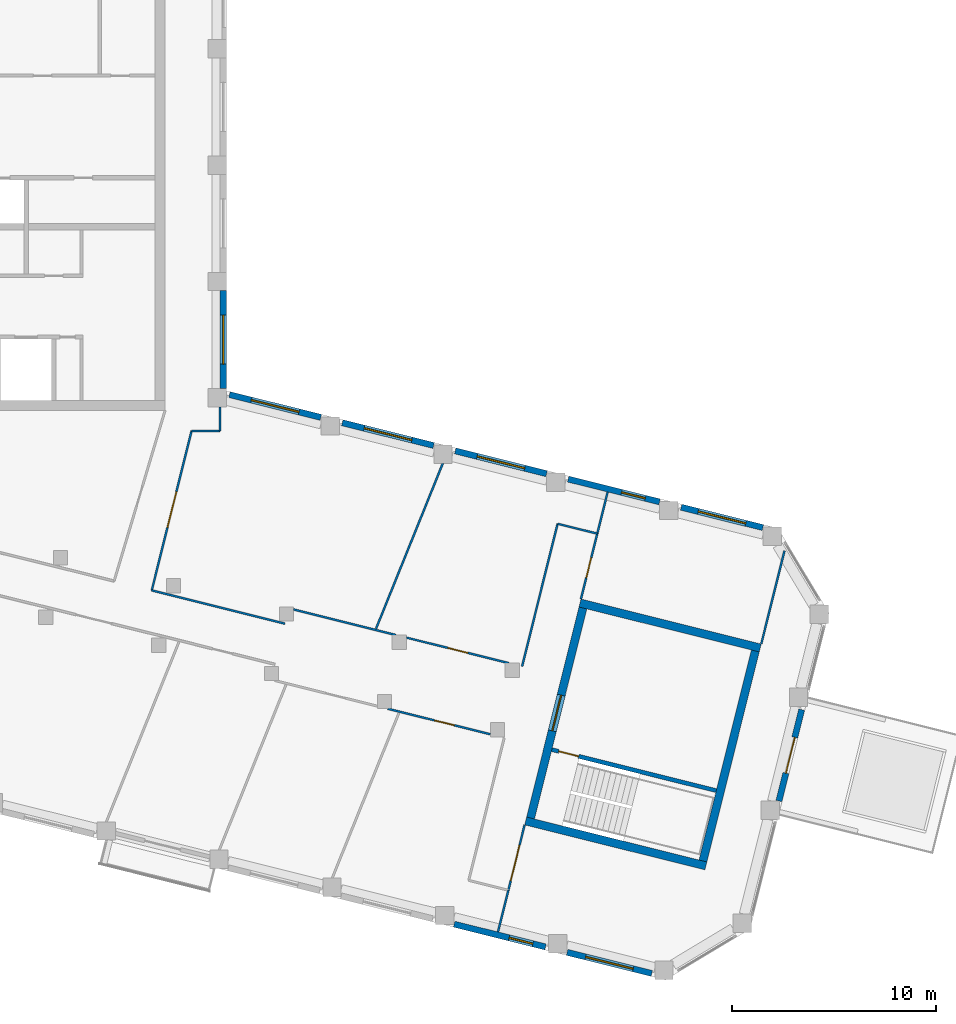
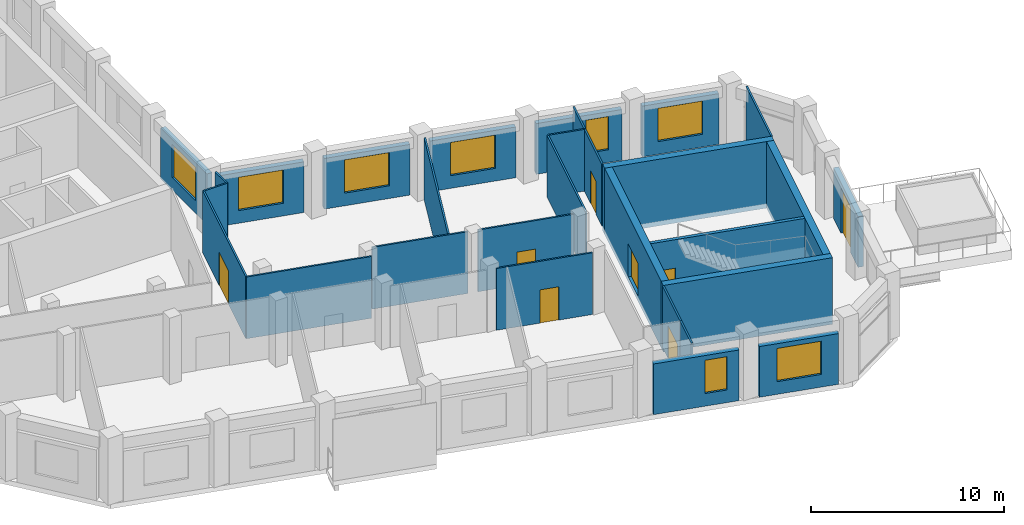
# One storey, part 8 of 13: 29 walls, 8 doors, 8 windows, 16 openings.
"""IFC4 building model written with IfcOpenShell, lengths in metres."""

from ifc_helpers import new_model, si_unit, direction, frame, frame_2d, origin, place, context, subcontext, project, spatial, rectangle, extrude, material, layer, layer_set, type_object, element, fill, save


model = new_model("IFC4")

# Units and contexts
model_context = context("Model", 3, precision=1e-05, world=origin(), true_north=direction((0.0, 1.0)))
body_context = subcontext(model_context, "Body", "Model", "MODEL_VIEW")
ifc_project = project(units=[si_unit("LENGTHUNIT", "METRE"), si_unit("AREAUNIT", "SQUARE_METRE"), si_unit("VOLUMEUNIT", "CUBIC_METRE"), si_unit("PLANEANGLEUNIT", "RADIAN"), si_unit("MASSUNIT", "GRAM", prefix="KILO")], contexts=[model_context])

# Site, building, storey
site_placement = place(None, origin())
site = spatial("IfcSite", under=ifc_project, at=site_placement, CompositionType="ELEMENT")
building_placement = place(site_placement, origin())
building = spatial("IfcBuilding", under=site, at=building_placement, Name="Meshkara Civic Tower", CompositionType="ELEMENT")
storey_placement = place(building_placement, frame((0.0, 0.0, 383.39990234375)))
storey = spatial("IfcBuildingStorey", under=building, at=storey_placement, Name="L88", CompositionType="ELEMENT", Elevation=383.39990234375)

# Wall, opening, door
ifc_material_1 = material(Name="Corridor wall 100")
ifc_layer_1 = layer(ifc_material_1, 0.10009765625)
ifc_layer_set_1 = layer_set([ifc_layer_1], Name="Corridor wall 100")
wall_type_1 = type_object("IfcWallType", Name="Corridor wall 100", PredefinedType="PARTITIONING", material=ifc_layer_set_1)
wall_1_placement = place(storey_placement, frame((30.14892578125, 5.2890625, 0.0), z_axis=(0.0, 0.0, 1.0), x_axis=(0.241978995789, 0.970281487815, 0.0)))
wall_1 = element("IfcWall", 1, at=wall_1_placement, inside=storey, type_object=wall_type_1, Name="L88-W019", PredefinedType="PARTITIONING", context=body_context, shape_type="SweptSolid", body=[
    extrude(rectangle(XDim=8.05029296875, YDim=0.10009765625, at=frame_2d((4.025146484375, 0.0))), origin(), (0.0, 0.0, 1.0), 3.900146484375),
])
opening_1_placement = place(wall_1_placement, frame((3.179931640625, 0.0, 0.0)))
opening_1 = element("IfcOpeningElement", 2, at=opening_1_placement, cuts=wall_1, Name="Opening L88-D010", PredefinedType="OPENING", context=body_context, shape_type="SweptSolid", body=[
    extrude(rectangle(XDim=1.800048828125, YDim=2.10009765625, at=frame_2d((0.89990234375, 1.050048828125))), frame((0.0, 0.06005859375, 0.0), z_axis=(0.0, -1.0, 0.0), x_axis=(1.0, 0.0, 0.0)), (0.0, 0.0, 1.0), 0.1201171875),
])
ifc_material_2 = material(Name="Door pair 1800 x 2100")
door_type_1 = type_object("IfcDoorType", Name="Door pair 1800 x 2100", OperationType="SINGLE_SWING_LEFT", PredefinedType="DOOR", material=ifc_material_2)
door_1_placement = place(opening_1_placement, origin())
door_1 = element("IfcDoor", 3, at=door_1_placement, inside=storey, type_object=door_type_1, Name="L88-D010", OperationType="DOUBLE_DOOR_SINGLE_SWING", OverallHeight=2.10009765625, OverallWidth=1.800048828125, PredefinedType="DOOR", context=body_context, shape_type="SweptSolid", body=[
    extrude(rectangle(XDim=1.800048828125, YDim=2.10009765625, at=frame_2d((0.89990234375, 1.050048828125))), frame((0.0, 0.02490234375, 0.0), z_axis=(0.0, -1.0, 0.0), x_axis=(1.0, 0.0, 0.0)), (0.0, 0.0, 1.0), 0.050048828125),
])
fill(opening_1, door_1)

# Walls
wall_2_placement = place(storey_placement, frame((32.096923828125, 13.10009765625, 0.0), z_axis=(0.0, 0.0, 1.0), x_axis=(1.0, 0.0, 0.0)))
element("IfcWall", 4, at=wall_2_placement, inside=storey, type_object=wall_type_1, Name="L88-W022", PredefinedType="PARTITIONING", context=body_context, shape_type="SweptSolid", body=[
    extrude(rectangle(XDim=1.403076171875, YDim=0.10009765625, at=frame_2d((0.70166015625, 0.0))), origin(), (0.0, 0.0, 1.0), 3.900146484375),
])
wall_3_placement = place(storey_placement, frame((33.5, 13.10009765625, 0.0), z_axis=(0.0, 0.0, 1.0), x_axis=(0.0, 1.0, 0.0)))
element("IfcWall", 5, at=wall_3_placement, inside=storey, type_object=wall_type_1, Name="L88-W023", PredefinedType="PARTITIONING", context=body_context, shape_type="SweptSolid", body=[
    extrude(rectangle(XDim=1.1689453125, YDim=0.10009765625, at=frame_2d((0.58447265625, 0.0))), origin(), (0.0, 0.0, 1.0), 3.900146484375),
])
wall_4_placement = place(storey_placement, frame((36.669921875, 3.6630859375, 0.0), z_axis=(0.0, 0.0, 1.0), x_axis=(-0.970291897054, 0.241937253253, 0.0)))
element("IfcWall", 6, at=wall_4_placement, inside=storey, type_object=wall_type_1, Name="L88-W025", PredefinedType="PARTITIONING", context=body_context, shape_type="SweptSolid", body=[
    extrude(rectangle(XDim=6.720703125, YDim=0.10009765625, at=frame_2d((3.3603515625, 0.0))), origin(), (0.0, 0.0, 1.0), 3.900146484375),
])
wall_5_placement = place(storey_placement, frame((37.092041015625, 4.35595703125, 0.0), z_axis=(0.0, 0.0, 1.0), x_axis=(0.970303347181, -0.241891327769, 0.0)))
element("IfcWall", 7, at=wall_5_placement, inside=storey, type_object=wall_type_1, Name="L88-W026", PredefinedType="PARTITIONING", context=body_context, shape_type="SweptSolid", body=[
    extrude(rectangle(XDim=5.171630859375, YDim=0.10009765625, at=frame_2d((2.5859375, 0.0))), origin(), (0.0, 0.0, 1.0), 3.900146484375),
])

# Wall, opening, door
wall_6_placement = place(storey_placement, frame((41.708984375, -0.506103515625, 0.0), z_axis=(0.0, 0.0, 1.0), x_axis=(0.970347652839, -0.241713534229, 0.0)))
wall_6 = element("IfcWall", 8, at=wall_6_placement, inside=storey, type_object=wall_type_1, Name="L88-W027", PredefinedType="PARTITIONING", context=body_context, shape_type="SweptSolid", body=[
    extrude(rectangle(XDim=5.17138671875, YDim=0.10009765625, at=frame_2d((2.585693359375, 0.0))), origin(), (0.0, 0.0, 1.0), 3.900146484375),
])
opening_2_placement = place(wall_6_placement, frame((2.35888671875, 0.0, 0.0)))
opening_2 = element("IfcOpeningElement", 9, at=opening_2_placement, cuts=wall_6, Name="Opening L88-D002", PredefinedType="OPENING", context=body_context, shape_type="SweptSolid", body=[
    extrude(rectangle(XDim=1.0, YDim=2.10009765625, at=frame_2d((0.5, 1.050048828125))), frame((0.0, 0.06005859375, 0.0), z_axis=(0.0, -1.0, 0.0), x_axis=(1.0, 0.0, 0.0)), (0.0, 0.0, 1.0), 0.1201171875),
])
ifc_material_3 = material(Name="Door 1000 x 2100")
door_type_2 = type_object("IfcDoorType", Name="Door 1000 x 2100", OperationType="SINGLE_SWING_LEFT", PredefinedType="DOOR", material=ifc_material_3)
door_2_placement = place(opening_2_placement, origin())
door_2 = element("IfcDoor", 10, at=door_2_placement, inside=storey, type_object=door_type_2, Name="L88-D002", OperationType="SINGLE_SWING_RIGHT", OverallHeight=2.10009765625, OverallWidth=1.0, PredefinedType="DOOR", context=body_context, shape_type="SweptSolid", body=[
    extrude(rectangle(XDim=1.0, YDim=2.10009765625, at=frame_2d((0.5, 1.050048828125))), frame((0.0, 0.02490234375, 0.0), z_axis=(0.0, -1.0, 0.0), x_axis=(1.0, 0.0, 0.0)), (0.0, 0.0, 1.0), 0.050048828125),
])
fill(opening_2, door_2)

wall_7_placement = place(storey_placement, frame((47.611083984375, -9.39697265625, 0.0), z_axis=(0.0, 0.0, 1.0), x_axis=(0.241786986316, 0.970329352977, 0.0)))
wall_7 = element("IfcWall", 11, at=wall_7_placement, inside=storey, type_object=wall_type_1, Name="L88-W030", PredefinedType="PARTITIONING", context=body_context, shape_type="SweptSolid", body=[
    extrude(rectangle(XDim=3.2998046875, YDim=0.10009765625, at=frame_2d((1.64990234375, 0.0))), origin(), (0.0, 0.0, 1.0), 3.900146484375),
])
opening_3_placement = place(wall_7_placement, frame((0.47998046875, 0.0, 0.0)))
opening_3 = element("IfcOpeningElement", 12, at=opening_3_placement, cuts=wall_7, Name="Opening L88-D001", PredefinedType="OPENING", context=body_context, shape_type="SweptSolid", body=[
    extrude(rectangle(XDim=1.800048828125, YDim=2.10009765625, at=frame_2d((0.89990234375, 1.050048828125))), frame((0.0, 0.06005859375, 0.0), z_axis=(0.0, -1.0, 0.0), x_axis=(1.0, 0.0, 0.0)), (0.0, 0.0, 1.0), 0.1201171875),
])
door_3_placement = place(opening_3_placement, origin())
door_3 = element("IfcDoor", 13, at=door_3_placement, inside=storey, type_object=door_type_1, Name="L88-D001", OperationType="DOUBLE_DOOR_SINGLE_SWING", OverallHeight=2.10009765625, OverallWidth=1.800048828125, PredefinedType="DOOR", context=body_context, shape_type="SweptSolid", body=[
    extrude(rectangle(XDim=1.800048828125, YDim=2.10009765625, at=frame_2d((0.89990234375, 1.050048828125))), frame((0.0, 0.02490234375, 0.0), z_axis=(0.0, -1.0, 0.0), x_axis=(1.0, 0.0, 0.0)), (0.0, 0.0, 1.0), 0.050048828125),
])
fill(opening_3, door_3)

wall_8_placement = place(storey_placement, frame((47.64111328125, 1.72607421875, 0.0), z_axis=(0.0, 0.0, 1.0), x_axis=(-0.97031439286, 0.241847015712, 0.0)))
wall_8 = element("IfcWall", 14, at=wall_8_placement, inside=storey, type_object=wall_type_1, Name="L88-W031", PredefinedType="PARTITIONING", context=body_context, shape_type="SweptSolid", body=[
    extrude(rectangle(XDim=5.172607421875, YDim=0.10009765625, at=frame_2d((2.58642578125, 0.0))), origin(), (0.0, 0.0, 1.0), 3.900146484375),
])
opening_4_placement = place(wall_8_placement, frame((2.080078125, 0.0, 0.0)))
opening_4 = element("IfcOpeningElement", 15, at=opening_4_placement, cuts=wall_8, Name="Opening L88-D006", PredefinedType="OPENING", context=body_context, shape_type="SweptSolid", body=[
    extrude(rectangle(XDim=1.0, YDim=2.10009765625, at=frame_2d((0.5, 1.050048828125))), frame((0.0, 0.06005859375, 0.0), z_axis=(0.0, -1.0, 0.0), x_axis=(1.0, 0.0, 0.0)), (0.0, 0.0, 1.0), 0.1201171875),
])
door_4_placement = place(opening_4_placement, origin())
door_4 = element("IfcDoor", 16, at=door_4_placement, inside=storey, type_object=door_type_2, Name="L88-D006", OperationType="SINGLE_SWING_RIGHT", OverallHeight=2.10009765625, OverallWidth=1.0, PredefinedType="DOOR", context=body_context, shape_type="SweptSolid", body=[
    extrude(rectangle(XDim=1.0, YDim=2.10009765625, at=frame_2d((0.5, 1.050048828125))), frame((0.0, 0.02490234375, 0.0), z_axis=(0.0, -1.0, 0.0), x_axis=(1.0, 0.0, 0.0)), (0.0, 0.0, 1.0), 0.050048828125),
])
fill(opening_4, door_4)

# Wall
wall_9_placement = place(storey_placement, frame((50.02490234375, 8.552001953125, 0.0), z_axis=(0.0, 0.0, 1.0), x_axis=(-0.241937193493, -0.970291911955, 0.0)))
element("IfcWall", 17, at=wall_9_placement, inside=storey, type_object=wall_type_1, Name="L88-W032", PredefinedType="PARTITIONING", context=body_context, shape_type="SweptSolid", body=[
    extrude(rectangle(XDim=7.199951171875, YDim=0.10009765625, at=frame_2d((3.60009765625, 0.0))), origin(), (0.0, 0.0, 1.0), 3.900146484375),
])

# Wall, opening, door
wall_10_placement = place(storey_placement, frame((51.1669921875, 4.865966796875, 0.0), z_axis=(0.0, 0.0, 1.0), x_axis=(0.241840132712, 0.970316108394, 0.0)))
wall_10 = element("IfcWall", 18, at=wall_10_placement, inside=storey, type_object=wall_type_1, Name="L88-W033", PredefinedType="PARTITIONING", context=body_context, shape_type="SweptSolid", body=[
    extrude(rectangle(XDim=3.30419921875, YDim=0.10009765625, at=frame_2d((1.652099609375, 0.0))), origin(), (0.0, 0.0, 1.0), 3.900146484375),
])
opening_5_placement = place(wall_10_placement, frame((1.080078125, 0.0, 0.0)))
opening_5 = element("IfcOpeningElement", 19, at=opening_5_placement, cuts=wall_10, Name="Opening L88-D011", PredefinedType="OPENING", context=body_context, shape_type="SweptSolid", body=[
    extrude(rectangle(XDim=1.0, YDim=2.10009765625, at=frame_2d((0.5, 1.050048828125))), frame((0.0, 0.06005859375, 0.0), z_axis=(0.0, -1.0, 0.0), x_axis=(1.0, 0.0, 0.0)), (0.0, 0.0, 1.0), 0.1201171875),
])
door_5_placement = place(opening_5_placement, origin())
door_5 = element("IfcDoor", 20, at=door_5_placement, inside=storey, type_object=door_type_2, Name="L88-D011", OperationType="SINGLE_SWING_RIGHT", OverallHeight=2.10009765625, OverallWidth=1.0, PredefinedType="DOOR", context=body_context, shape_type="SweptSolid", body=[
    extrude(rectangle(XDim=1.0, YDim=2.10009765625, at=frame_2d((0.5, 1.050048828125))), frame((0.0, 0.02490234375, 0.0), z_axis=(0.0, -1.0, 0.0), x_axis=(1.0, 0.0, 0.0)), (0.0, 0.0, 1.0), 0.050048828125),
])
fill(opening_5, door_5)

# Wall
wall_11_placement = place(storey_placement, frame((51.965087890625, 8.068115234375, 0.0), z_axis=(0.0, 0.0, 1.0), x_axis=(-0.970278804284, 0.241989755894, 0.0)))
element("IfcWall", 21, at=wall_11_placement, inside=storey, type_object=wall_type_1, Name="L88-W034", PredefinedType="PARTITIONING", context=body_context, shape_type="SweptSolid", body=[
    extrude(rectangle(XDim=1.99951171875, YDim=0.10009765625, at=frame_2d((0.999755859375, 0.0))), origin(), (0.0, 0.0, 1.0), 3.900146484375),
])

# Wall, opening, window
ifc_material_4 = material(Name="Insulated infill panel with bronze anodised aluminium cladding", Category="aluminium")
ifc_layer_2 = layer(ifc_material_4, 0.300048828125)
ifc_layer_set_2 = layer_set([ifc_layer_2], Name="EXTERNAL INFILL WALL 300")
wall_type_2 = type_object("IfcWallType", Name="EXTERNAL INFILL WALL 300", PredefinedType="SOLIDWALL", material=ifc_layer_set_2)
wall_12_placement = place(storey_placement, frame((60.075927734375, 8.364990234375, 0.0), z_axis=(0.0, 0.0, 1.0), x_axis=(-0.970323340708, 0.24181111322, 0.0)))
wall_12 = element("IfcWall", 22, at=wall_12_placement, inside=storey, type_object=wall_type_2, Name="External wall", PredefinedType="SOLIDWALL", context=body_context, shape_type="SweptSolid", body=[
    extrude(rectangle(XDim=4.123291015625, YDim=0.300048828125, at=frame_2d((2.0615234375, 0.0))), origin(), (0.0, 0.0, 1.0), 3.2001953125),
])
opening_6_placement = place(wall_12_placement, frame((0.862060546875, 0.0, 0.800048828125)))
opening_6 = element("IfcOpeningElement", 23, at=opening_6_placement, cuts=wall_12, Name="Opening W7", PredefinedType="OPENING", context=body_context, shape_type="SweptSolid", body=[
    extrude(rectangle(XDim=2.39990234375, YDim=2.10009765625, at=frame_2d((1.199951171875, 1.050048828125))), frame((0.0, 0.159912109375, 0.0), z_axis=(0.0, -1.0, 0.0), x_axis=(1.0, 0.0, 0.0)), (0.0, 0.0, 1.0), 0.320068359375),
])
ifc_material_5 = material(Name="Tinted double glazing", Category="glass")
window_type_1 = type_object("IfcWindowType", Name="WINDOW 2400x2100", PartitioningType="DOUBLE_PANEL_VERTICAL", PredefinedType="WINDOW", material=ifc_material_5)
window_1_placement = place(opening_6_placement, origin())
window_1 = element("IfcWindow", 24, at=window_1_placement, inside=storey, type_object=window_type_1, Name="Window", OverallHeight=2.10009765625, OverallWidth=2.39990234375, PartitioningType="DOUBLE_PANEL_VERTICAL", PredefinedType="WINDOW", context=body_context, shape_type="SweptSolid", body=[
    extrude(rectangle(XDim=2.39990234375, YDim=2.10009765625, at=frame_2d((1.199951171875, 1.050048828125))), frame((0.0, 0.030029296875, 0.0), z_axis=(0.0, -1.0, 0.0), x_axis=(1.0, 0.0, 0.0)), (0.0, 0.0, 1.0), 0.06005859375),
])
fill(opening_6, window_1)

wall_13_placement = place(storey_placement, frame((55.01611328125, 9.6259765625, 0.0), z_axis=(0.0, 0.0, 1.0), x_axis=(-0.970298093093, 0.241912402618, 0.0)))
wall_13 = element("IfcWall", 25, at=wall_13_placement, inside=storey, type_object=wall_type_2, Name="External wall", PredefinedType="SOLIDWALL", context=body_context, shape_type="SweptSolid", body=[
    extrude(rectangle(XDim=4.609130859375, YDim=0.300048828125, at=frame_2d((2.3046875, 0.0))), origin(), (0.0, 0.0, 1.0), 3.2001953125),
])
opening_7_placement = place(wall_13_placement, frame((0.716796875, 0.0, 0.800048828125)))
opening_7 = element("IfcOpeningElement", 26, at=opening_7_placement, cuts=wall_13, Name="Opening W3", PredefinedType="OPENING", context=body_context, shape_type="SweptSolid", body=[
    extrude(rectangle(XDim=1.199951171875, YDim=2.10009765625, at=frame_2d((0.60009765625, 1.050048828125))), frame((0.0, 0.159912109375, 0.0), z_axis=(0.0, -1.0, 0.0), x_axis=(1.0, 0.0, 0.0)), (0.0, 0.0, 1.0), 0.320068359375),
])
ifc_material_6 = material(Name="Tinted double glazing", Category="glass")
window_type_2 = type_object("IfcWindowType", Name="WINDOW 1200x2100", PartitioningType="SINGLE_PANEL", PredefinedType="WINDOW", material=ifc_material_6)
window_2_placement = place(opening_7_placement, origin())
window_2 = element("IfcWindow", 27, at=window_2_placement, inside=storey, type_object=window_type_2, Name="Window", OverallHeight=2.10009765625, OverallWidth=1.199951171875, PartitioningType="SINGLE_PANEL", PredefinedType="WINDOW", context=body_context, shape_type="SweptSolid", body=[
    extrude(rectangle(XDim=1.199951171875, YDim=2.10009765625, at=frame_2d((0.60009765625, 1.050048828125))), frame((0.0, 0.030029296875, 0.0), z_axis=(0.0, -1.0, 0.0), x_axis=(1.0, 0.0, 0.0)), (0.0, 0.0, 1.0), 0.06005859375),
])
fill(opening_7, window_2)

wall_14_placement = place(storey_placement, frame((49.485107421875, 11.0048828125, 0.0), z_axis=(0.0, 0.0, 1.0), x_axis=(-0.970235897967, 0.242161727563, 0.0)))
wall_14 = element("IfcWall", 28, at=wall_14_placement, inside=storey, type_object=wall_type_2, Name="External wall", PredefinedType="SOLIDWALL", context=body_context, shape_type="SweptSolid", body=[
    extrude(rectangle(XDim=4.609375, YDim=0.300048828125, at=frame_2d((2.3046875, 0.0))), origin(), (0.0, 0.0, 1.0), 3.2001953125),
])
opening_8_placement = place(wall_14_placement, frame((1.10498046875, 0.0, 0.800048828125)))
opening_8 = element("IfcOpeningElement", 29, at=opening_8_placement, cuts=wall_14, Name="Opening W7", PredefinedType="OPENING", context=body_context, shape_type="SweptSolid", body=[
    extrude(rectangle(XDim=2.39990234375, YDim=2.10009765625, at=frame_2d((1.199951171875, 1.050048828125))), frame((0.0, 0.159912109375, 0.0), z_axis=(0.0, -1.0, 0.0), x_axis=(1.0, 0.0, 0.0)), (0.0, 0.0, 1.0), 0.320068359375),
])
window_3_placement = place(opening_8_placement, origin())
window_3 = element("IfcWindow", 30, at=window_3_placement, inside=storey, type_object=window_type_1, Name="Window", OverallHeight=2.10009765625, OverallWidth=2.39990234375, PartitioningType="DOUBLE_PANEL_VERTICAL", PredefinedType="WINDOW", context=body_context, shape_type="SweptSolid", body=[
    extrude(rectangle(XDim=2.39990234375, YDim=2.10009765625, at=frame_2d((1.199951171875, 1.050048828125))), frame((0.0, 0.030029296875, 0.0), z_axis=(0.0, -1.0, 0.0), x_axis=(1.0, 0.0, 0.0)), (0.0, 0.0, 1.0), 0.06005859375),
])
fill(opening_8, window_3)

wall_15_placement = place(storey_placement, frame((43.9541015625, 12.384033203125, 0.0), z_axis=(0.0, 0.0, 1.0), x_axis=(-0.970285689791, 0.241962146187, 0.0)))
wall_15 = element("IfcWall", 31, at=wall_15_placement, inside=storey, type_object=wall_type_2, Name="External wall", PredefinedType="SOLIDWALL", context=body_context, shape_type="SweptSolid", body=[
    extrude(rectangle(XDim=4.608154296875, YDim=0.300048828125, at=frame_2d((2.30419921875, 0.0))), origin(), (0.0, 0.0, 1.0), 3.2001953125),
])
opening_9_placement = place(wall_15_placement, frame((1.10400390625, 0.0, 0.800048828125)))
opening_9 = element("IfcOpeningElement", 32, at=opening_9_placement, cuts=wall_15, Name="Opening W7", PredefinedType="OPENING", context=body_context, shape_type="SweptSolid", body=[
    extrude(rectangle(XDim=2.39990234375, YDim=2.10009765625, at=frame_2d((1.199951171875, 1.050048828125))), frame((0.0, 0.159912109375, 0.0), z_axis=(0.0, -1.0, 0.0), x_axis=(1.0, 0.0, 0.0)), (0.0, 0.0, 1.0), 0.320068359375),
])
window_4_placement = place(opening_9_placement, origin())
window_4 = element("IfcWindow", 33, at=window_4_placement, inside=storey, type_object=window_type_1, Name="Window", OverallHeight=2.10009765625, OverallWidth=2.39990234375, PartitioningType="DOUBLE_PANEL_VERTICAL", PredefinedType="WINDOW", context=body_context, shape_type="SweptSolid", body=[
    extrude(rectangle(XDim=2.39990234375, YDim=2.10009765625, at=frame_2d((1.199951171875, 1.050048828125))), frame((0.0, 0.030029296875, 0.0), z_axis=(0.0, -1.0, 0.0), x_axis=(1.0, 0.0, 0.0)), (0.0, 0.0, 1.0), 0.06005859375),
])
fill(opening_9, window_4)

wall_16_placement = place(storey_placement, frame((38.424072265625, 13.762939453125, 0.0), z_axis=(0.0, 0.0, 1.0), x_axis=(-0.970248341479, 0.24211186641, 0.0)))
wall_16 = element("IfcWall", 34, at=wall_16_placement, inside=storey, type_object=wall_type_2, Name="External wall", PredefinedType="SOLIDWALL", context=body_context, shape_type="SweptSolid", body=[
    extrude(rectangle(XDim=4.609375, YDim=0.300048828125, at=frame_2d((2.3046875, 0.0))), origin(), (0.0, 0.0, 1.0), 3.2001953125),
])
opening_10_placement = place(wall_16_placement, frame((1.10498046875, 0.0, 0.800048828125)))
opening_10 = element("IfcOpeningElement", 35, at=opening_10_placement, cuts=wall_16, Name="Opening W7", PredefinedType="OPENING", context=body_context, shape_type="SweptSolid", body=[
    extrude(rectangle(XDim=2.39990234375, YDim=2.10009765625, at=frame_2d((1.199951171875, 1.050048828125))), frame((0.0, 0.159912109375, 0.0), z_axis=(0.0, -1.0, 0.0), x_axis=(1.0, 0.0, 0.0)), (0.0, 0.0, 1.0), 0.320068359375),
])
window_5_placement = place(opening_10_placement, origin())
window_5 = element("IfcWindow", 36, at=window_5_placement, inside=storey, type_object=window_type_1, Name="Window", OverallHeight=2.10009765625, OverallWidth=2.39990234375, PartitioningType="DOUBLE_PANEL_VERTICAL", PredefinedType="WINDOW", context=body_context, shape_type="SweptSolid", body=[
    extrude(rectangle(XDim=2.39990234375, YDim=2.10009765625, at=frame_2d((1.199951171875, 1.050048828125))), frame((0.0, 0.030029296875, 0.0), z_axis=(0.0, -1.0, 0.0), x_axis=(1.0, 0.0, 0.0)), (0.0, 0.0, 1.0), 0.06005859375),
])
fill(opening_10, window_5)

wall_17_placement = place(storey_placement, frame((33.64990234375, 15.1689453125, 0.0), z_axis=(0.0, 0.0, 1.0), x_axis=(0.0, 1.0, 0.0)))
wall_17 = element("IfcWall", 37, at=wall_17_placement, inside=storey, type_object=wall_type_2, Name="External wall", PredefinedType="SOLIDWALL", context=body_context, shape_type="SweptSolid", body=[
    extrude(rectangle(XDim=4.800048828125, YDim=0.300048828125, at=frame_2d((2.39990234375, 0.0))), origin(), (0.0, 0.0, 1.0), 3.2001953125),
])
opening_11_placement = place(wall_17_placement, frame((1.199951171875, 0.0, 0.800048828125)))
opening_11 = element("IfcOpeningElement", 38, at=opening_11_placement, cuts=wall_17, Name="Opening W7", PredefinedType="OPENING", context=body_context, shape_type="SweptSolid", body=[
    extrude(rectangle(XDim=2.39990234375, YDim=2.10009765625, at=frame_2d((1.199951171875, 1.050048828125))), frame((0.0, 0.159912109375, 0.0), z_axis=(0.0, -1.0, 0.0), x_axis=(1.0, 0.0, 0.0)), (0.0, 0.0, 1.0), 0.320068359375),
])
window_6_placement = place(opening_11_placement, origin())
window_6 = element("IfcWindow", 39, at=window_6_placement, inside=storey, type_object=window_type_1, Name="Window", OverallHeight=2.10009765625, OverallWidth=2.39990234375, PartitioningType="DOUBLE_PANEL_VERTICAL", PredefinedType="WINDOW", context=body_context, shape_type="SweptSolid", body=[
    extrude(rectangle(XDim=2.39990234375, YDim=2.10009765625, at=frame_2d((1.199951171875, 1.050048828125))), frame((0.0, 0.030029296875, 0.0), z_axis=(0.0, -1.0, 0.0), x_axis=(1.0, 0.0, 0.0)), (0.0, 0.0, 1.0), 0.06005859375),
])
fill(opening_11, window_6)

wall_18_placement = place(storey_placement, frame((44.9609375, -11.055908203125, 0.0), z_axis=(0.0, 0.0, 1.0), x_axis=(0.970298093093, -0.241912402618, 0.0)))
wall_18 = element("IfcWall", 40, at=wall_18_placement, inside=storey, type_object=wall_type_2, Name="External wall", PredefinedType="SOLIDWALL", context=body_context, shape_type="SweptSolid", body=[
    extrude(rectangle(XDim=4.609130859375, YDim=0.300048828125, at=frame_2d((2.3046875, 0.0))), origin(), (0.0, 0.0, 1.0), 3.2001953125),
])
opening_12_placement = place(wall_18_placement, frame((2.764404296875, 0.0, 0.800048828125)))
opening_12 = element("IfcOpeningElement", 41, at=opening_12_placement, cuts=wall_18, Name="Opening W3", PredefinedType="OPENING", context=body_context, shape_type="SweptSolid", body=[
    extrude(rectangle(XDim=1.199951171875, YDim=2.10009765625, at=frame_2d((0.60009765625, 1.050048828125))), frame((0.0, 0.159912109375, 0.0), z_axis=(0.0, -1.0, 0.0), x_axis=(1.0, 0.0, 0.0)), (0.0, 0.0, 1.0), 0.320068359375),
])
window_7_placement = place(opening_12_placement, origin())
window_7 = element("IfcWindow", 42, at=window_7_placement, inside=storey, type_object=window_type_2, Name="Window", OverallHeight=2.10009765625, OverallWidth=1.199951171875, PartitioningType="SINGLE_PANEL", PredefinedType="WINDOW", context=body_context, shape_type="SweptSolid", body=[
    extrude(rectangle(XDim=1.199951171875, YDim=2.10009765625, at=frame_2d((0.60009765625, 1.050048828125))), frame((0.0, 0.030029296875, 0.0), z_axis=(0.0, -1.0, 0.0), x_axis=(1.0, 0.0, 0.0)), (0.0, 0.0, 1.0), 0.06005859375),
])
fill(opening_12, window_7)

wall_19_placement = place(storey_placement, frame((50.491943359375, -12.43505859375, 0.0), z_axis=(0.0, 0.0, 1.0), x_axis=(0.970323940244, -0.241808707429, 0.0)))
wall_19 = element("IfcWall", 43, at=wall_19_placement, inside=storey, type_object=wall_type_2, Name="External wall", PredefinedType="SOLIDWALL", context=body_context, shape_type="SweptSolid", body=[
    extrude(rectangle(XDim=4.267822265625, YDim=0.300048828125, at=frame_2d((2.1337890625, 0.0))), origin(), (0.0, 0.0, 1.0), 3.2001953125),
])
opening_13_placement = place(wall_19_placement, frame((0.93408203125, 0.0, 0.800048828125)))
opening_13 = element("IfcOpeningElement", 44, at=opening_13_placement, cuts=wall_19, Name="Opening W7", PredefinedType="OPENING", context=body_context, shape_type="SweptSolid", body=[
    extrude(rectangle(XDim=2.39990234375, YDim=2.10009765625, at=frame_2d((1.199951171875, 1.050048828125))), frame((0.0, 0.159912109375, 0.0), z_axis=(0.0, -1.0, 0.0), x_axis=(1.0, 0.0, 0.0)), (0.0, 0.0, 1.0), 0.320068359375),
])
window_8_placement = place(opening_13_placement, origin())
window_8 = element("IfcWindow", 45, at=window_8_placement, inside=storey, type_object=window_type_1, Name="Window", OverallHeight=2.10009765625, OverallWidth=2.39990234375, PartitioningType="DOUBLE_PANEL_VERTICAL", PredefinedType="WINDOW", context=body_context, shape_type="SweptSolid", body=[
    extrude(rectangle(XDim=2.39990234375, YDim=2.10009765625, at=frame_2d((1.199951171875, 1.050048828125))), frame((0.0, 0.030029296875, 0.0), z_axis=(0.0, -1.0, 0.0), x_axis=(1.0, 0.0, 0.0)), (0.0, 0.0, 1.0), 0.06005859375),
])
fill(opening_13, window_8)

# Wall, opening, door
wall_20_placement = place(storey_placement, frame((60.864013671875, -5.02099609375, 0.0), z_axis=(0.0, 0.0, 1.0), x_axis=(0.241775045801, 0.97033232824, 0.0)))
wall_20 = element("IfcWall", 46, at=wall_20_placement, inside=storey, type_object=wall_type_2, Name="External wall", PredefinedType="SOLIDWALL", context=body_context, shape_type="SweptSolid", body=[
    extrude(rectangle(XDim=4.607666015625, YDim=0.300048828125, at=frame_2d((2.3037109375, 0.0))), origin(), (0.0, 0.0, 1.0), 3.2001953125),
])
opening_14_placement = place(wall_20_placement, frame((1.404052734375, 0.0, 0.0)))
opening_14 = element("IfcOpeningElement", 47, at=opening_14_placement, cuts=wall_20, Name="Opening L88-L004", PredefinedType="OPENING", context=body_context, shape_type="SweptSolid", body=[
    extrude(rectangle(XDim=1.800048828125, YDim=2.89990234375, at=frame_2d((0.89990234375, 1.449951171875))), frame((0.0, 0.159912109375, 0.0), z_axis=(0.0, -1.0, 0.0), x_axis=(1.0, 0.0, 0.0)), (0.0, 0.0, 1.0), 0.320068359375),
])
ifc_material_7 = material(Name="Tinted double glazing", Category="glass")
door_type_3 = type_object("IfcDoorType", Name="LOGGIA DOOR 1800x2900", OperationType="DOUBLE_DOOR_SINGLE_SWING", PredefinedType="DOOR", material=ifc_material_7)
door_6_placement = place(opening_14_placement, origin())
door_6 = element("IfcDoor", 48, at=door_6_placement, inside=storey, type_object=door_type_3, Name="L88-L004", OperationType="DOUBLE_DOOR_SINGLE_SWING", OverallHeight=2.89990234375, OverallWidth=1.800048828125, PredefinedType="DOOR", context=body_context, shape_type="SweptSolid", body=[
    extrude(rectangle(XDim=1.800048828125, YDim=2.89990234375, at=frame_2d((0.89990234375, 1.449951171875))), frame((0.0, 0.02490234375, 0.0), z_axis=(0.0, -1.0, 0.0), x_axis=(1.0, 0.0, 0.0)), (0.0, 0.0, 1.0), 0.050048828125),
])
fill(opening_14, door_6)

# Walls
ifc_material_8 = material(Name="Concrete C50", Category="concrete")
ifc_layer_3 = layer(ifc_material_8, 0.39990234375)
ifc_layer_set_3 = layer_set([ifc_layer_3], Name="End core ring wall 400 C50")
wall_type_3 = type_object("IfcWallType", Name="End core ring wall 400 C50", PredefinedType="SHEAR", material=ifc_layer_set_3)
wall_21_placement = place(storey_placement, frame((48.4580078125, -6.0009765625, -0.2998046875), z_axis=(0.0, 0.0, 1.0), x_axis=(0.970281225948, -0.241980045814, 0.0)))
element("IfcWall", 49, at=wall_21_placement, inside=storey, type_object=wall_type_3, Name="L88-C032", PredefinedType="SHEAR", context=body_context, shape_type="SweptSolid", body=[
    extrude(rectangle(XDim=9.099609375, YDim=0.39990234375, at=frame_2d((4.5498046875, 0.0))), origin(), (0.0, 0.0, 1.0), 4.199951171875),
])
wall_22_placement = place(storey_placement, frame((51.118896484375, 4.672119140625, -0.2998046875), z_axis=(0.0, 0.0, 1.0), x_axis=(0.970300121521, -0.241904266553, 0.0)))
element("IfcWall", 50, at=wall_22_placement, inside=storey, type_object=wall_type_3, Name="L88-C033", PredefinedType="SHEAR", context=body_context, shape_type="SweptSolid", body=[
    extrude(rectangle(XDim=9.099365234375, YDim=0.39990234375, at=frame_2d((4.5498046875, 0.0))), origin(), (0.0, 0.0, 1.0), 4.199951171875),
])

# Wall, opening, door
wall_23_placement = place(storey_placement, frame((48.699951171875, -5.85595703125, -0.2998046875), z_axis=(0.0, 0.0, 1.0), x_axis=(0.241869030534, 0.970308905488, 0.0)))
wall_23 = element("IfcWall", 51, at=wall_23_placement, inside=storey, type_object=wall_type_3, Name="L88-C034", PredefinedType="SHEAR", context=body_context, shape_type="SweptSolid", body=[
    extrude(rectangle(XDim=10.6005859375, YDim=0.39990234375, at=frame_2d((5.30029296875, 0.0))), origin(), (0.0, 0.0, 1.0), 4.199951171875),
])
opening_15_placement = place(wall_23_placement, frame((4.39990234375, 0.0, 0.300048828125)))
opening_15 = element("IfcOpeningElement", 52, at=opening_15_placement, cuts=wall_23, Name="Opening L88-K202", PredefinedType="OPENING", context=body_context, shape_type="SweptSolid", body=[
    extrude(rectangle(XDim=1.800048828125, YDim=2.10009765625, at=frame_2d((0.89990234375, 1.050048828125))), frame((0.0, 0.2099609375, 0.0), z_axis=(0.0, -1.0, 0.0), x_axis=(1.0, 0.0, 0.0)), (0.0, 0.0, 1.0), 0.419921875),
])
ifc_material_9 = material(Name="Fire-rated door leaf in steel frame", Category="steel")
door_type_4 = type_object("IfcDoorType", Name="Core double door 1800 EI 60", OperationType="DOUBLE_DOOR_SINGLE_SWING", PredefinedType="DOOR", material=ifc_material_9)
door_7_placement = place(opening_15_placement, origin())
door_7 = element("IfcDoor", 53, at=door_7_placement, inside=storey, type_object=door_type_4, Name="L88-K202", OperationType="DOUBLE_DOOR_SINGLE_SWING", OverallHeight=2.10009765625, OverallWidth=1.800048828125, PredefinedType="DOOR", context=body_context, shape_type="SweptSolid", body=[
    extrude(rectangle(XDim=1.800048828125, YDim=2.10009765625, at=frame_2d((0.89990234375, 1.050048828125))), frame((0.0, 0.02490234375, 0.0), z_axis=(0.0, -1.0, 0.0), x_axis=(1.0, 0.0, 0.0)), (0.0, 0.0, 1.0), 0.050048828125),
])
fill(opening_15, door_7)

# Walls
wall_24_placement = place(storey_placement, frame((57.14208984375, -7.9599609375, -0.2998046875), z_axis=(0.0, 0.0, 1.0), x_axis=(0.241890652548, 0.970303515509, 0.0)))
element("IfcWall", 54, at=wall_24_placement, inside=storey, type_object=wall_type_3, Name="L88-C035", PredefinedType="SHEAR", context=body_context, shape_type="SweptSolid", body=[
    extrude(rectangle(XDim=10.599609375, YDim=0.39990234375, at=frame_2d((5.2998046875, 0.0))), origin(), (0.0, 0.0, 1.0), 4.199951171875),
])
ifc_material_10 = material(Name="Partition 100")
ifc_layer_4 = layer(ifc_material_10, 0.10009765625)
ifc_layer_set_4 = layer_set([ifc_layer_4], Name="Partition 100")
wall_type_4 = type_object("IfcWallType", Name="Partition 100", PredefinedType="PARTITIONING", material=ifc_layer_set_4)
wall_25_placement = place(storey_placement, frame((41.12890625, 3.407958984375, 0.0), z_axis=(0.0, 0.0, 1.0), x_axis=(0.374543419774, 0.927209375871, 0.0)))
element("IfcWall", 55, at=wall_25_placement, inside=storey, type_object=wall_type_4, Name="L88-W049", PredefinedType="PARTITIONING", context=body_context, shape_type="SweptSolid", body=[
    extrude(rectangle(XDim=8.7392578125, YDim=0.10009765625, at=frame_2d((4.36962890625, 0.0))), origin(), (0.0, 0.0, 1.0), 3.900146484375),
])
for number, where, z_axis, x_axis, name in (
    (56, (47.10302734375, -11.43505859375, 0.0), (0.0, 0.0, 1.0), (0.241880455513, 0.97030605751, 0.0), "L88-W050"),
    (57, (51.964111328125, 8.06396484375, 0.0), (0.0, 0.0, 1.0), (0.241771228393, 0.970333279405, 0.0), "L88-W051"),
):
    element("IfcWall", number, at=place(storey_placement, frame(where, z_axis=z_axis, x_axis=x_axis)), inside=storey, type_object=wall_type_4, Name=name, PredefinedType="PARTITIONING", context=body_context, shape_type="SweptSolid", body=[
        extrude(rectangle(XDim=2.1044921875, YDim=0.10009765625, at=frame_2d((1.05224609375, 0.0))), origin(), (0.0, 0.0, 1.0), 3.900146484375),
    ])
wall_26_placement = place(storey_placement, frame((61.135009765625, 7.22998046875, 0.0), z_axis=(0.0, 0.0, 1.0), x_axis=(-0.241876214648, -0.970307114674, 0.0)))
element("IfcWall", 58, at=wall_26_placement, inside=storey, type_object=wall_type_4, Name="L88-W052", PredefinedType="PARTITIONING", context=body_context, shape_type="SweptSolid", body=[
    extrude(rectangle(XDim=4.70458984375, YDim=0.10009765625, at=frame_2d((2.352294921875, 0.0))), origin(), (0.0, 0.0, 1.0), 3.900146484375),
])

# Wall, opening, door
ifc_material_11 = material(Name="Concrete C40/50", Category="concrete")
ifc_layer_5 = layer(ifc_material_11, 0.199951171875)
ifc_layer_set_5 = layer_set([ifc_layer_5], Name="Stair enclosure wall 200 C40/50")
wall_type_5 = type_object("IfcWallType", Name="Stair enclosure wall 200 C40/50", PredefinedType="SOLIDWALL", material=ifc_layer_set_5)
wall_27_placement = place(storey_placement, frame((49.740966796875, -2.508056640625, 0.0), z_axis=(0.0, 0.0, 1.0), x_axis=(0.970289402158, -0.241947258837, 0.0)))
wall_27 = element("IfcWall", 59, at=wall_27_placement, inside=storey, type_object=wall_type_5, Name="L88-C036", PredefinedType="SOLIDWALL", context=body_context, shape_type="SweptSolid", body=[
    extrude(rectangle(XDim=8.299560546875, YDim=0.199951171875, at=frame_2d((4.14990234375, 0.0))), origin(), (0.0, 0.0, 1.0), 3.900146484375),
])
opening_16_placement = place(wall_27_placement, frame((0.35009765625, 0.0, 0.0)))
opening_16 = element("IfcOpeningElement", 60, at=opening_16_placement, cuts=wall_27, Name="Opening L88-K201", PredefinedType="OPENING", context=body_context, shape_type="SweptSolid", body=[
    extrude(rectangle(XDim=1.0, YDim=2.10009765625, at=frame_2d((0.5, 1.050048828125))), frame((0.0, 0.10986328125, 0.0), z_axis=(0.0, -1.0, 0.0), x_axis=(1.0, 0.0, 0.0)), (0.0, 0.0, 1.0), 0.219970703125),
])
ifc_material_12 = material(Name="Fire-rated door leaf in steel frame", Category="steel")
door_type_5 = type_object("IfcDoorType", Name="Stair door 1000 EI 120", OperationType="SINGLE_SWING_LEFT", PredefinedType="DOOR", material=ifc_material_12)
door_8_placement = place(opening_16_placement, origin())
door_8 = element("IfcDoor", 61, at=door_8_placement, inside=storey, type_object=door_type_5, Name="L88-K201", OperationType="SINGLE_SWING_LEFT", OverallHeight=2.10009765625, OverallWidth=1.0, PredefinedType="DOOR", context=body_context, shape_type="SweptSolid", body=[
    extrude(rectangle(XDim=1.0, YDim=2.10009765625, at=frame_2d((0.5, 1.050048828125))), frame((0.0, 0.02490234375, 0.0), z_axis=(0.0, -1.0, 0.0), x_axis=(1.0, 0.0, 0.0)), (0.0, 0.0, 1.0), 0.050048828125),
])
fill(opening_16, door_8)

save(model, "model.ifc")
